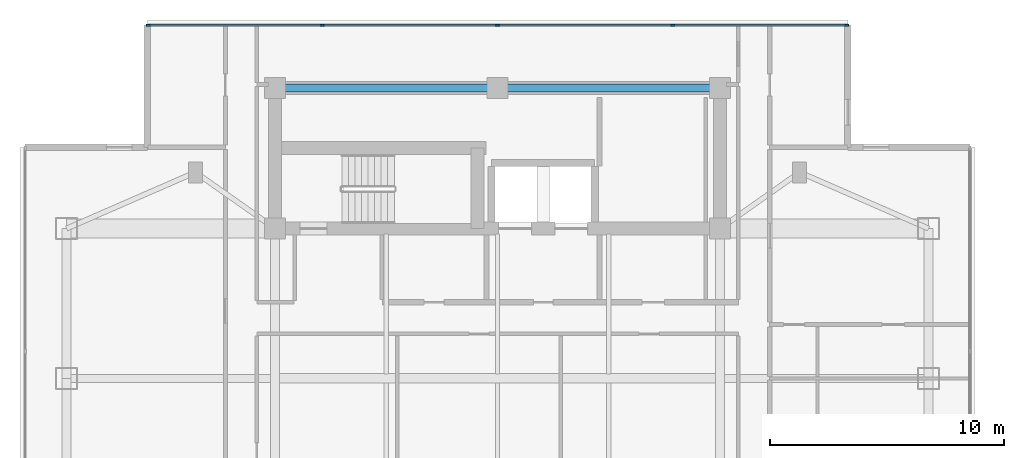
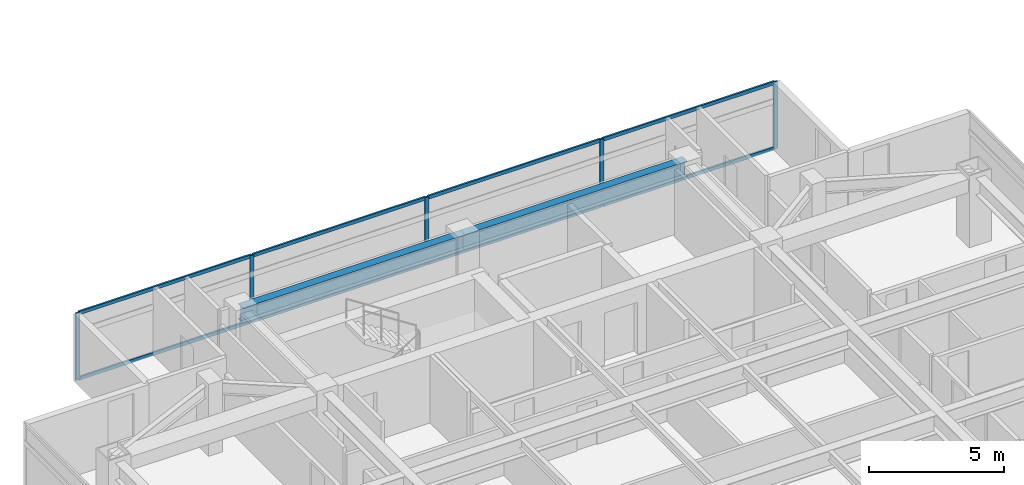
# One storey, part 7 of 24: 13 members, 2 beams, 1 element without a shape of its own.
"""IFC4 building model written with IfcOpenShell, lengths in metres."""

from ifc_helpers import new_model, si_unit, direction, frame, origin, origin_2d, place, context, subcontext, project, spatial, rectangle, i_section, extrude, material, material_profile, profile_set, type_object, element, aggregate, save


model = new_model("IFC4")

# Units and contexts
model_context = context("Model", 3, precision=1e-05, world=origin(), true_north=direction((0.0, 1.0)))
body_context = subcontext(model_context, "Body", "Model", "MODEL_VIEW")
ifc_project = project(units=[si_unit("LENGTHUNIT", "METRE"), si_unit("AREAUNIT", "SQUARE_METRE"), si_unit("VOLUMEUNIT", "CUBIC_METRE"), si_unit("PLANEANGLEUNIT", "RADIAN"), si_unit("MASSUNIT", "GRAM", prefix="KILO")], contexts=[model_context])

# Site, building, storey
site_placement = place(None, origin())
site = spatial("IfcSite", under=ifc_project, at=site_placement, CompositionType="ELEMENT")
building_placement = place(site_placement, origin())
building = spatial("IfcBuilding", under=site, at=building_placement, Name="Mirazonda Arch Towers", CompositionType="ELEMENT")
storey_placement = place(building_placement, frame((0.0, 0.0, 193.39990234375)))
storey = spatial("IfcBuildingStorey", under=building, at=storey_placement, Name="L55", CompositionType="ELEMENT", Elevation=193.39990234375)

# Beams
ifc_material_1 = material(Name="Steel ASTM A992 Grade 50", Category="steel")
ifc_material_profile_1 = material_profile(ifc_material_1, i_section(OverallWidth=0.35498046875, OverallDepth=0.696044921875, WebThickness=0.015380859375, FlangeThickness=0.02490234375, at=origin_2d()), Name="W27X146")
ifc_profile_set_1 = profile_set([ifc_material_profile_1], Name="Steel ASTM A992 Grade 50")
beam_type = type_object("IfcBeamType", Name="BM-INT-W27X146", PredefinedType="BEAM", material=ifc_profile_set_1)
for number, where, z_axis, x_axis, name in (
    (1, (11.0, 43.60009765625, 2.7021484375), (1.0, 0.0, 0.0), (0.0, 1.0, 0.0), "L55 Floor Beam BM-T1-L55-CN1"),
    (2, (20.5, 43.60009765625, 2.7021484375), (1.0, 0.0, 0.0), (0.0, 1.0, 0.0), "L55 Floor Beam BM-T1-L55-CN2"),
):
    element("IfcBeam", number, at=place(storey_placement, frame(where, z_axis=z_axis, x_axis=x_axis)), inside=storey, type_object=beam_type, Name=name, PredefinedType="BEAM", context=body_context, shape_type="SweptSolid", body=[
        extrude(i_section(OverallWidth=0.35498046875, OverallDepth=0.696044921875, WebThickness=0.015380859375, FlangeThickness=0.02490234375, at=origin_2d()), origin(), (0.0, 0.0, 1.0), 9.5),
    ])

# Curtain wall, members
ifc_material_2 = material(Name="Anodised Aluminium and Low-E Glass", Category="aluminium")
curtain_wall_type = type_object("IfcCurtainWallType", Name="CW-RES-UNIT", PredefinedType="NOTDEFINED", material=ifc_material_2)
curtain_wall_placement = place(storey_placement, origin())
curtain_wall = element("IfcCurtainWall", 3, at=curtain_wall_placement, inside=storey, type_object=curtain_wall_type, Name="L55 T1 N Facade CW-L55-T1-N", PredefinedType="NOTDEFINED")
ifc_material_3 = material(Name="Anodised Aluminium Alloy", Category="aluminium")
ifc_material_profile_2 = material_profile(ifc_material_3, rectangle(XDim=0.074951171875, YDim=0.175048828125, at=origin_2d()), Name="ALU-MULL-75x175")
ifc_profile_set_2 = profile_set([ifc_material_profile_2], Name="Anodised Aluminium Alloy")
member_type_1 = type_object("IfcMemberType", Name="MULL-CW-RES-UNIT", PredefinedType="MULLION", material=ifc_profile_set_2)
member_1_placement = place(storey_placement, frame((5.58251953125, 46.283935546875, 0.0), z_axis=(0.0, 0.0, 1.0), x_axis=(0.0, 1.0, 0.0)))
member_1 = element("IfcMember", 4, at=member_1_placement, type_object=member_type_1, Name="CW-104 mullion 1", PredefinedType="MULLION", context=body_context, shape_type="SweptSolid", body=[
    extrude(rectangle(XDim=0.074951171875, YDim=0.175048828125, at=origin_2d()), origin(), (0.0, 0.0, 1.0), 3.030029296875),
])
member_2_placement = place(storey_placement, frame((13.0224609375, 46.283935546875, 0.0), z_axis=(0.0, 0.0, 1.0), x_axis=(0.0, 1.0, 0.0)))
member_2 = element("IfcMember", 5, at=member_2_placement, type_object=member_type_1, Name="CW-104 mullion 2", PredefinedType="MULLION", context=body_context, shape_type="SweptSolid", body=[
    extrude(rectangle(XDim=0.074951171875, YDim=0.175048828125, at=origin_2d()), origin(), (0.0, 0.0, 1.0), 3.030029296875),
])
member_3_placement = place(storey_placement, frame((20.5, 46.283935546875, 0.0), z_axis=(0.0, 0.0, 1.0), x_axis=(0.0, 1.0, 0.0)))
member_3 = element("IfcMember", 6, at=member_3_placement, type_object=member_type_1, Name="CW-104 mullion 3", PredefinedType="MULLION", context=body_context, shape_type="SweptSolid", body=[
    extrude(rectangle(XDim=0.074951171875, YDim=0.175048828125, at=origin_2d()), origin(), (0.0, 0.0, 1.0), 3.030029296875),
])
member_4_placement = place(storey_placement, frame((27.9775390625, 46.283935546875, 0.0), z_axis=(0.0, 0.0, 1.0), x_axis=(0.0, 1.0, 0.0)))
member_4 = element("IfcMember", 7, at=member_4_placement, type_object=member_type_1, Name="CW-104 mullion 4", PredefinedType="MULLION", context=body_context, shape_type="SweptSolid", body=[
    extrude(rectangle(XDim=0.074951171875, YDim=0.175048828125, at=origin_2d()), origin(), (0.0, 0.0, 1.0), 3.030029296875),
])
member_5_placement = place(storey_placement, frame((35.41748046875, 46.283935546875, 0.0), z_axis=(0.0, 0.0, 1.0), x_axis=(0.0, 1.0, 0.0)))
member_5 = element("IfcMember", 8, at=member_5_placement, type_object=member_type_1, Name="CW-104 mullion 5", PredefinedType="MULLION", context=body_context, shape_type="SweptSolid", body=[
    extrude(rectangle(XDim=0.074951171875, YDim=0.175048828125, at=origin_2d()), origin(), (0.0, 0.0, 1.0), 3.030029296875),
])
ifc_material_profile_3 = material_profile(ifc_material_3, rectangle(XDim=0.074951171875, YDim=0.155029296875, at=origin_2d()), Name="ALU-TRAN-75x155")
ifc_profile_set_3 = profile_set([ifc_material_profile_3], Name="Anodised Aluminium Alloy")
member_type_2 = type_object("IfcMemberType", Name="TRAN-CW-RES-UNIT", PredefinedType="USERDEFINED", material=ifc_profile_set_3)
member_6_placement = place(storey_placement, frame((5.6201171875, 46.283935546875, 0.03759765625), z_axis=(1.0, 0.0, 0.0), x_axis=(0.0, 1.0, 0.0)))
member_6 = element("IfcMember", 9, at=member_6_placement, type_object=member_type_2, Name="CW-104 transom 1.1", ObjectType="TRANSOM", PredefinedType="USERDEFINED", context=body_context, shape_type="SweptSolid", body=[
    extrude(rectangle(XDim=0.074951171875, YDim=0.155029296875, at=origin_2d()), origin(), (0.0, 0.0, 1.0), 7.364990234375),
])
member_7_placement = place(storey_placement, frame((5.6201171875, 46.283935546875, 2.99267578125), z_axis=(1.0, 0.0, 0.0), x_axis=(0.0, 1.0, 0.0)))
member_7 = element("IfcMember", 10, at=member_7_placement, type_object=member_type_2, Name="CW-104 transom 1.2", ObjectType="TRANSOM", PredefinedType="USERDEFINED", context=body_context, shape_type="SweptSolid", body=[
    extrude(rectangle(XDim=0.074951171875, YDim=0.155029296875, at=origin_2d()), origin(), (0.0, 0.0, 1.0), 7.364990234375),
])
member_8_placement = place(storey_placement, frame((13.06005859375, 46.283935546875, 0.03759765625), z_axis=(1.0, 0.0, 0.0), x_axis=(0.0, 1.0, 0.0)))
member_8 = element("IfcMember", 11, at=member_8_placement, type_object=member_type_2, Name="CW-104 transom 2.1", ObjectType="TRANSOM", PredefinedType="USERDEFINED", context=body_context, shape_type="SweptSolid", body=[
    extrude(rectangle(XDim=0.074951171875, YDim=0.155029296875, at=origin_2d()), origin(), (0.0, 0.0, 1.0), 7.40234375),
])
member_9_placement = place(storey_placement, frame((13.06005859375, 46.283935546875, 2.99267578125), z_axis=(1.0, 0.0, 0.0), x_axis=(0.0, 1.0, 0.0)))
member_9 = element("IfcMember", 12, at=member_9_placement, type_object=member_type_2, Name="CW-104 transom 2.2", ObjectType="TRANSOM", PredefinedType="USERDEFINED", context=body_context, shape_type="SweptSolid", body=[
    extrude(rectangle(XDim=0.074951171875, YDim=0.155029296875, at=origin_2d()), origin(), (0.0, 0.0, 1.0), 7.40234375),
])
member_10_placement = place(storey_placement, frame((20.53759765625, 46.283935546875, 0.03759765625), z_axis=(1.0, 0.0, 0.0), x_axis=(0.0, 1.0, 0.0)))
member_10 = element("IfcMember", 13, at=member_10_placement, type_object=member_type_2, Name="CW-104 transom 3.1", ObjectType="TRANSOM", PredefinedType="USERDEFINED", context=body_context, shape_type="SweptSolid", body=[
    extrude(rectangle(XDim=0.074951171875, YDim=0.155029296875, at=origin_2d()), origin(), (0.0, 0.0, 1.0), 7.40234375),
])
member_11_placement = place(storey_placement, frame((20.53759765625, 46.283935546875, 2.99267578125), z_axis=(1.0, 0.0, 0.0), x_axis=(0.0, 1.0, 0.0)))
member_11 = element("IfcMember", 14, at=member_11_placement, type_object=member_type_2, Name="CW-104 transom 3.2", ObjectType="TRANSOM", PredefinedType="USERDEFINED", context=body_context, shape_type="SweptSolid", body=[
    extrude(rectangle(XDim=0.074951171875, YDim=0.155029296875, at=origin_2d()), origin(), (0.0, 0.0, 1.0), 7.40234375),
])
member_12_placement = place(storey_placement, frame((28.014892578125, 46.283935546875, 0.03759765625), z_axis=(1.0, 0.0, 0.0), x_axis=(0.0, 1.0, 0.0)))
member_12 = element("IfcMember", 15, at=member_12_placement, type_object=member_type_2, Name="CW-104 transom 4.1", ObjectType="TRANSOM", PredefinedType="USERDEFINED", context=body_context, shape_type="SweptSolid", body=[
    extrude(rectangle(XDim=0.074951171875, YDim=0.155029296875, at=origin_2d()), origin(), (0.0, 0.0, 1.0), 7.364990234375),
])
member_13_placement = place(storey_placement, frame((28.014892578125, 46.283935546875, 2.99267578125), z_axis=(1.0, 0.0, 0.0), x_axis=(0.0, 1.0, 0.0)))
member_13 = element("IfcMember", 16, at=member_13_placement, type_object=member_type_2, Name="CW-104 transom 4.2", ObjectType="TRANSOM", PredefinedType="USERDEFINED", context=body_context, shape_type="SweptSolid", body=[
    extrude(rectangle(XDim=0.074951171875, YDim=0.155029296875, at=origin_2d()), origin(), (0.0, 0.0, 1.0), 7.364990234375),
])
aggregate(curtain_wall, [member_1, member_2, member_3, member_4, member_5, member_6, member_7, member_8, member_9, member_10, member_11, member_12, member_13])

save(model, "model.ifc")
